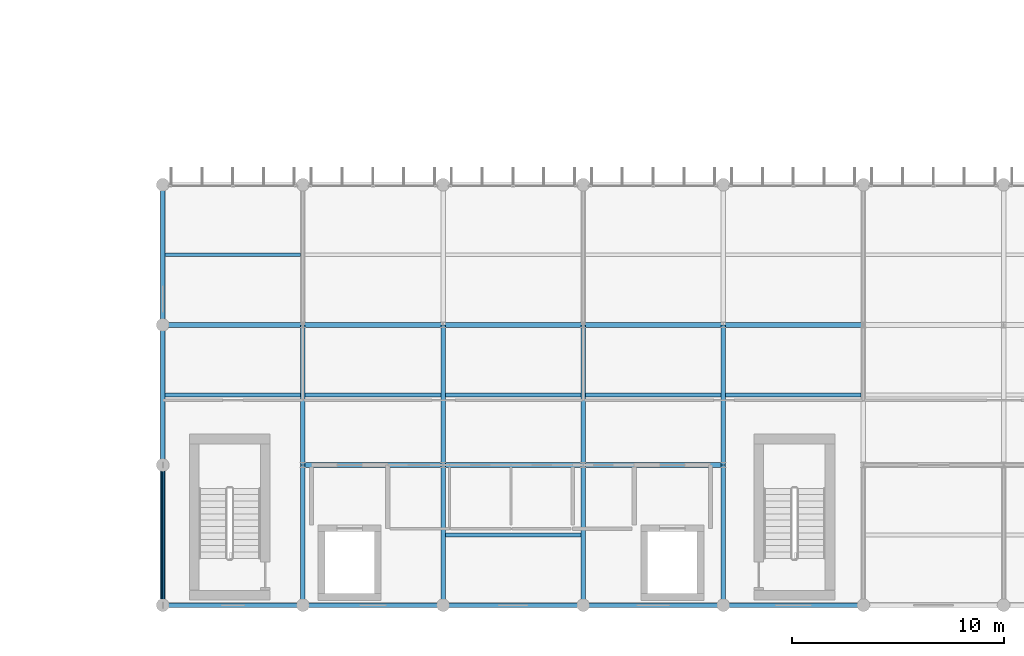
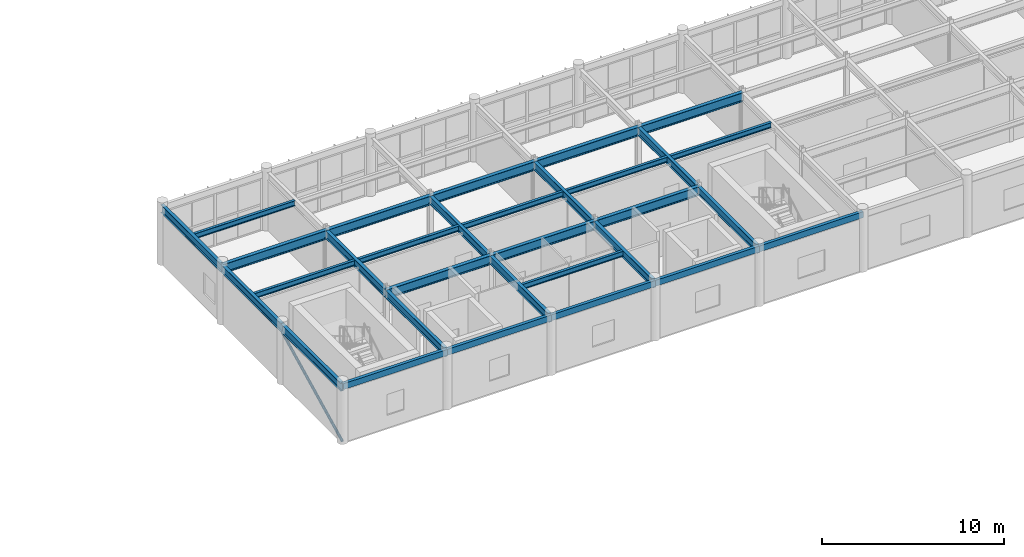
# One storey, part 18 of 66: 31 beams, 1 member.
"""IFC4 building model written with IfcOpenShell, lengths in metres."""

import ifcopenshell
import ifcopenshell.guid

model = None  # the IFC model being written
_history = None  # IfcOwnerHistory: only IFC2X3 demands one
_inside = {}  # id of a spatial element -> (the spatial element, [elements in it])
_under = {}  # id of a project, library or spatial element -> (it, [spatial elements below it])
_declared = {}  # id of a project -> (the project, [libraries it declares])
_typed = {}  # id of a type object -> (the type object, [elements of that type])
_made_of = {}  # id of a material, layer set ... -> (it, [elements and type objects made of it])


def new_model(schema):
    """Start an empty IFC model of exactly this schema.

    Asked for "IFC4X3", IfcOpenShell would pick the latest addendum, in which some entities
    have other attributes; the version numbers below select the first issue.
    IFC2X3 requires an IfcOwnerHistory on every rooted entity: one is made here for all.
    """
    global model, _history
    if schema == "IFC4X3":
        model = ifcopenshell.file(schema_version=(4, 3, 0, 0))
    else:
        model = ifcopenshell.file(schema=schema)
    _inside.clear()
    _under.clear()
    _declared.clear()
    _typed.clear()
    _made_of.clear()
    _history = None
    if model.schema == "IFC2X3":
        org = make("IfcOrganization", Name="unknown")
        user = make(
            "IfcPersonAndOrganization",
            ThePerson=make("IfcPerson", FamilyName="unknown"),
            TheOrganization=org,
        )
        app = make(
            "IfcApplication",
            ApplicationDeveloper=org,
            Version="unknown",
            ApplicationFullName="unknown",
            ApplicationIdentifier="unknown",
        )
        _history = make(
            "IfcOwnerHistory",
            OwningUser=user,
            OwningApplication=app,
            ChangeAction="ADDED",
            CreationDate=0,
        )
    return model


def make(cls, **values):
    """One entity of the class cls with the attributes given. An attribute that is None is left unset."""
    return model.create_entity(
        cls, **{name: value for name, value in values.items() if value is not None}
    )


def rooted(cls, **values):
    """An entity with a GlobalId (a new one), such as an element, a storey or a relation."""
    return make(cls, GlobalId=ifcopenshell.guid.new(), OwnerHistory=_history, **values)


def si_unit(unit_type, name, prefix=None):
    """IfcSIUnit, for example si_unit("LENGTHUNIT", "METRE", prefix="MILLI")."""
    return make("IfcSIUnit", UnitType=unit_type, Prefix=prefix, Name=name)


def assignment(units):
    """IfcUnitAssignment: the units of a project."""
    return None if units is None else make("IfcUnitAssignment", Units=units)


def point(xyz):
    """IfcCartesianPoint."""
    return None if xyz is None else make("IfcCartesianPoint", Coordinates=xyz)


def direction(xyz):
    """IfcDirection."""
    return None if xyz is None else make("IfcDirection", DirectionRatios=xyz)


def frame(location, z_axis=None, x_axis=None):
    """IfcAxis2Placement3D, a coordinate frame: its origin and axes. An axis left out is left unset."""
    return make(
        "IfcAxis2Placement3D",
        Location=point(location),
        Axis=direction(z_axis),
        RefDirection=direction(x_axis),
    )


def frame_2d(location, x_axis=None):
    """IfcAxis2Placement2D, a coordinate frame in the plane: its origin and x axis."""
    return make(
        "IfcAxis2Placement2D", Location=point(location), RefDirection=direction(x_axis)
    )


def origin():
    """The frame at (0, 0, 0) with its axes left unset."""
    return frame((0.0, 0.0, 0.0))


def origin_2d():
    """The frame at (0, 0) in the plane with its x axis left unset."""
    return frame_2d((0.0, 0.0))


def place(relative_to, where):
    """IfcLocalPlacement: puts the frame where relative to a parent placement (None: the world)."""
    return make(
        "IfcLocalPlacement", PlacementRelTo=relative_to, RelativePlacement=where
    )


def context(
    kind, dimensions, precision=None, world=None, true_north=None, identifier=None
):
    """IfcGeometricRepresentationContext, for example the 3D "Model" context."""
    return make(
        "IfcGeometricRepresentationContext",
        ContextIdentifier=identifier,
        ContextType=kind,
        CoordinateSpaceDimension=dimensions,
        Precision=precision,
        WorldCoordinateSystem=world,
        TrueNorth=true_north,
    )


def subcontext(parent, identifier, kind, view, scale=None):
    """IfcGeometricRepresentationSubContext, for example "Body" below "Model"."""
    return make(
        "IfcGeometricRepresentationSubContext",
        ContextIdentifier=identifier,
        ContextType=kind,
        ParentContext=parent,
        TargetScale=scale,
        TargetView=view,
    )


def project(units=None, contexts=None):
    """IfcProject with its units and contexts."""
    return rooted(
        "IfcProject",
        Name="project",
        RepresentationContexts=contexts,
        UnitsInContext=assignment(units),
    )


def spatial(cls, under=None, at=None, **own):
    """A site, building, storey or space (cls), placed at a placement, below another one or the project."""
    s = rooted(cls, ObjectPlacement=at, **own)
    if under is not None:
        _under.setdefault(under.id(), (under, []))[1].append(s)
    return s


def profile(cls, at=None, kind="AREA", **sizes):
    """A parametric profile (cls). Its sizes go by their IFC names, for example OverallWidth=200.0."""
    return make(cls, ProfileType=kind, Position=at, **sizes)


def hollow_rectangle(**sizes):
    """IfcRectangleHollowProfileDef."""
    return profile("IfcRectangleHollowProfileDef", **sizes)


def hollow_circle(**sizes):
    """IfcCircleHollowProfileDef."""
    return profile("IfcCircleHollowProfileDef", **sizes)


def i_section(**sizes):
    """IfcIShapeProfileDef."""
    return profile("IfcIShapeProfileDef", **sizes)


def extrude(swept, where, along, depth):
    """IfcExtrudedAreaSolid: the profile swept, set in the frame where, extruded along a direction by depth."""
    return make(
        "IfcExtrudedAreaSolid",
        SweptArea=swept,
        Position=where,
        ExtrudedDirection=direction(along),
        Depth=depth,
    )


def shape(context_of_items, identifier, shape_type, items):
    """IfcShapeRepresentation: the items that make up one representation, for example the "Body"."""
    return make(
        "IfcShapeRepresentation",
        ContextOfItems=context_of_items,
        RepresentationIdentifier=identifier,
        RepresentationType=shape_type,
        Items=items,
    )


def material(Name=None, Category=None):
    """IfcMaterial."""
    return make("IfcMaterial", Name=Name, Category=Category)


def material_profile(
    of_material, cross_section, Name=None, Category=None, Priority=None
):
    """IfcMaterialProfile: a cross section and its material."""
    return make(
        "IfcMaterialProfile",
        Name=Name,
        Material=of_material,
        Profile=cross_section,
        Priority=Priority,
        Category=Category,
    )


def profile_set(profiles, Name=None, composite=None):
    """IfcMaterialProfileSet."""
    return make(
        "IfcMaterialProfileSet",
        Name=Name,
        MaterialProfiles=profiles,
        CompositeProfile=composite,
    )


def made_of(thing, what):
    """Note that an element or type object is made of a material, layer set ...; save() writes the relation."""
    if what is not None:
        _made_of.setdefault(what.id(), (what, []))[1].append(thing)
    return thing


def type_object(cls, material=None, **own):
    """A type object (cls), such as IfcWallType, which elements share."""
    return made_of(rooted(cls, **own), material)


def element(
    cls,
    number,
    at=None,
    inside=None,
    cuts=None,
    type_object=None,
    material=None,
    context=None,
    identifier="Body",
    shape_type=None,
    held_by="IfcProductDefinitionShape",
    body=None,
    shapes=None,
    **own,
):
    """One element of the class cls, such as IfcWall. Its Tag is "e" and its number.

    at: its placement. inside: the storey or other place that contains it. cuts: it is an
    opening in that element (IfcRelVoidsElement). A single representation is given by context,
    identifier, shape_type and body (its items); several are given by shapes. held_by: the class
    of the entity that holds the representations. save() writes the other relations.
    """
    e = rooted(cls, Tag="e%d" % number, ObjectPlacement=at, **own)
    if body is not None:
        shapes = [shape(context, identifier, shape_type, body)]
    if shapes is not None:
        e.Representation = make(held_by, Representations=shapes)
    if inside is not None:
        _inside.setdefault(inside.id(), (inside, []))[1].append(e)
    if cuts is not None:
        rooted(
            "IfcRelVoidsElement", RelatingBuildingElement=cuts, RelatedOpeningElement=e
        )
    if type_object is not None:
        _typed.setdefault(type_object.id(), (type_object, []))[1].append(e)
    return made_of(e, material)


def aggregate(whole, parts):
    """IfcRelAggregates: a whole, such as a stair, and the parts it consists of."""
    return rooted("IfcRelAggregates", RelatingObject=whole, RelatedObjects=parts)


def save(model, path):
    """Write the relations noted so far, then the file.

    IfcRelAggregates (storeys below a building ...), IfcRelContainedInSpatialStructure (elements
    in a storey), IfcRelDefinesByType, IfcRelAssociatesMaterial and IfcRelDeclares: one each for
    every whole, place, type object, material and project.
    """
    for whole, parts in _under.values():
        aggregate(whole, parts)
    for where, things in _inside.values():
        rooted(
            "IfcRelContainedInSpatialStructure",
            RelatedElements=things,
            RelatingStructure=where,
        )
    for kind, things in _typed.values():
        rooted("IfcRelDefinesByType", RelatedObjects=things, RelatingType=kind)
    for what, things in _made_of.values():
        rooted("IfcRelAssociatesMaterial", RelatedObjects=things, RelatingMaterial=what)
    for by, libraries in _declared.values():
        rooted("IfcRelDeclares", RelatingContext=by, RelatedDefinitions=libraries)
    model.write(path)


model = new_model("IFC4")

# Units and contexts
model_context = context("Model", 3, precision=1e-05, world=origin(), true_north=direction((0.0, 1.0)))
body_context = subcontext(model_context, "Body", "Model", "MODEL_VIEW")
ifc_project = project(units=[si_unit("LENGTHUNIT", "METRE"), si_unit("AREAUNIT", "SQUARE_METRE"), si_unit("VOLUMEUNIT", "CUBIC_METRE"), si_unit("PLANEANGLEUNIT", "RADIAN"), si_unit("MASSUNIT", "GRAM", prefix="KILO")], contexts=[model_context])

# Site, building, storey
site_placement = place(None, origin())
site = spatial("IfcSite", under=ifc_project, at=site_placement, CompositionType="ELEMENT")
building_placement = place(site_placement, origin())
building = spatial("IfcBuilding", under=site, at=building_placement, Name="Karori Crest Natural Sciences Institute", CompositionType="ELEMENT")
storey_placement = place(building_placement, frame((0.0, 0.0, 30.10009765625)))
storey = spatial("IfcBuildingStorey", under=building, at=storey_placement, Name="L07", CompositionType="ELEMENT", Elevation=30.10009765625)

# Beams
ifc_material_1 = material(Name="Structural steel AS/NZS 3679.1 Grade 350", Category="steel")
ifc_material_profile_1 = material_profile(ifc_material_1, i_section(OverallWidth=0.22900390625, OverallDepth=0.612060546875, WebThickness=0.011962890625, FlangeThickness=0.01953125, FilletRadius=0.013916015625, at=origin_2d()), Name="610UB125")
ifc_profile_set_1 = profile_set([ifc_material_profile_1], Name="Structural steel AS/NZS 3679.1 Grade 350")
beam_type_1 = type_object("IfcBeamType", Name="BT-04", PredefinedType="BEAM", material=ifc_profile_set_1)
beam_1_placement = place(storey_placement, frame((110.199951171875, 7.39990234375, 3.614013671875), z_axis=(1.0, 0.0, 0.0), x_axis=(0.0, 1.0, 0.0)))
element("IfcBeam", 1, at=beam_1_placement, inside=storey, type_object=beam_type_1, Name="Beam B-2626", PredefinedType="BEAM", context=body_context, shape_type="SweptSolid", body=[
    extrude(i_section(OverallWidth=0.22900390625, OverallDepth=0.612060546875, WebThickness=0.011962890625, FlangeThickness=0.01953125, FilletRadius=0.013916015625, at=origin_2d()), origin(), (0.0, 0.0, 1.0), 6.60009765625),
])
beam_2_placement = place(storey_placement, frame((116.800048828125, 7.39990234375, 3.614013671875), z_axis=(1.0, 0.0, 0.0), x_axis=(0.0, 1.0, 0.0)))
element("IfcBeam", 2, at=beam_2_placement, inside=storey, type_object=beam_type_1, Name="Beam B-2627", PredefinedType="BEAM", context=body_context, shape_type="SweptSolid", body=[
    extrude(i_section(OverallWidth=0.22900390625, OverallDepth=0.612060546875, WebThickness=0.011962890625, FlangeThickness=0.01953125, FilletRadius=0.013916015625, at=origin_2d()), origin(), (0.0, 0.0, 1.0), 6.599853515625),
])
beam_3_placement = place(storey_placement, frame((123.39990234375, 7.39990234375, 3.614013671875), z_axis=(1.0, 0.0, 0.0), x_axis=(0.0, 1.0, 0.0)))
element("IfcBeam", 3, at=beam_3_placement, inside=storey, type_object=beam_type_1, Name="Beam B-2628", PredefinedType="BEAM", context=body_context, shape_type="SweptSolid", body=[
    extrude(i_section(OverallWidth=0.22900390625, OverallDepth=0.612060546875, WebThickness=0.011962890625, FlangeThickness=0.01953125, FilletRadius=0.013916015625, at=origin_2d()), origin(), (0.0, 0.0, 1.0), 6.60009765625),
])
beam_4_placement = place(storey_placement, frame((103.60009765625, 14.0, 3.614013671875), z_axis=(1.0, 0.0, 0.0), x_axis=(0.0, 1.0, 0.0)))
element("IfcBeam", 4, at=beam_4_placement, inside=storey, type_object=beam_type_1, Name="Beam B-2632", PredefinedType="BEAM", context=body_context, shape_type="SweptSolid", body=[
    extrude(i_section(OverallWidth=0.22900390625, OverallDepth=0.612060546875, WebThickness=0.011962890625, FlangeThickness=0.01953125, FilletRadius=0.013916015625, at=origin_2d()), origin(), (0.0, 0.0, 1.0), 6.599853515625),
])
beam_5_placement = place(storey_placement, frame((110.199951171875, 14.0, 3.614013671875), z_axis=(1.0, 0.0, 0.0), x_axis=(0.0, 1.0, 0.0)))
element("IfcBeam", 5, at=beam_5_placement, inside=storey, type_object=beam_type_1, Name="Beam B-2633", PredefinedType="BEAM", context=body_context, shape_type="SweptSolid", body=[
    extrude(i_section(OverallWidth=0.22900390625, OverallDepth=0.612060546875, WebThickness=0.011962890625, FlangeThickness=0.01953125, FilletRadius=0.013916015625, at=origin_2d()), origin(), (0.0, 0.0, 1.0), 6.60009765625),
])
beam_6_placement = place(storey_placement, frame((116.800048828125, 14.0, 3.614013671875), z_axis=(1.0, 0.0, 0.0), x_axis=(0.0, 1.0, 0.0)))
element("IfcBeam", 6, at=beam_6_placement, inside=storey, type_object=beam_type_1, Name="Beam B-2634", PredefinedType="BEAM", context=body_context, shape_type="SweptSolid", body=[
    extrude(i_section(OverallWidth=0.22900390625, OverallDepth=0.612060546875, WebThickness=0.011962890625, FlangeThickness=0.01953125, FilletRadius=0.013916015625, at=origin_2d()), origin(), (0.0, 0.0, 1.0), 6.599853515625),
])
for number, where, z_axis, x_axis, name in (
    (7, (123.39990234375, 14.0, 3.614013671875), (1.0, 0.0, 0.0), (0.0, 1.0, 0.0), "Beam B-2635"),
    (8, (130.0, 14.0, 3.614013671875), (1.0, 0.0, 0.0), (0.0, 1.0, 0.0), "Beam B-2636"),
):
    element("IfcBeam", number, at=place(storey_placement, frame(where, z_axis=z_axis, x_axis=x_axis)), inside=storey, type_object=beam_type_1, Name=name, PredefinedType="BEAM", context=body_context, shape_type="SweptSolid", body=[
        extrude(i_section(OverallWidth=0.22900390625, OverallDepth=0.612060546875, WebThickness=0.011962890625, FlangeThickness=0.01953125, FilletRadius=0.013916015625, at=origin_2d()), origin(), (0.0, 0.0, 1.0), 6.60009765625),
    ])
ifc_material_profile_2 = material_profile(ifc_material_1, i_section(OverallWidth=0.208984375, OverallDepth=0.532958984375, WebThickness=0.01025390625, FlangeThickness=0.015625, FilletRadius=0.013916015625, at=origin_2d()), Name="530UB92.4")
ifc_profile_set_2 = profile_set([ifc_material_profile_2], Name="Structural steel AS/NZS 3679.1 Grade 350")
beam_type_2 = type_object("IfcBeamType", Name="BT-05", PredefinedType="BEAM", material=ifc_profile_set_2)
beam_7_placement = place(storey_placement, frame((110.199951171875, 0.800048828125, 3.6533203125), z_axis=(0.0, 1.0, 0.0), x_axis=(-1.0, 0.0, 0.0)))
element("IfcBeam", 9, at=beam_7_placement, inside=storey, type_object=beam_type_2, Name="Beam B-2651", PredefinedType="BEAM", context=body_context, shape_type="SweptSolid", body=[
    extrude(i_section(OverallWidth=0.208984375, OverallDepth=0.532958984375, WebThickness=0.01025390625, FlangeThickness=0.015625, FilletRadius=0.013916015625, at=origin_2d()), origin(), (0.0, 0.0, 1.0), 6.599853515625),
])
beam_8_placement = place(storey_placement, frame((110.199951171875, 7.39990234375, 3.6533203125), z_axis=(0.0, 1.0, 0.0), x_axis=(-1.0, 0.0, 0.0)))
element("IfcBeam", 10, at=beam_8_placement, inside=storey, type_object=beam_type_2, Name="Beam B-2652", PredefinedType="BEAM", context=body_context, shape_type="SweptSolid", body=[
    extrude(i_section(OverallWidth=0.208984375, OverallDepth=0.532958984375, WebThickness=0.01025390625, FlangeThickness=0.015625, FilletRadius=0.013916015625, at=origin_2d()), origin(), (0.0, 0.0, 1.0), 6.60009765625),
])
beam_9_placement = place(storey_placement, frame((116.800048828125, 0.800048828125, 3.6533203125), z_axis=(0.0, 1.0, 0.0), x_axis=(-1.0, 0.0, 0.0)))
element("IfcBeam", 11, at=beam_9_placement, inside=storey, type_object=beam_type_2, Name="Beam B-2654", PredefinedType="BEAM", context=body_context, shape_type="SweptSolid", body=[
    extrude(i_section(OverallWidth=0.208984375, OverallDepth=0.532958984375, WebThickness=0.01025390625, FlangeThickness=0.015625, FilletRadius=0.013916015625, at=origin_2d()), origin(), (0.0, 0.0, 1.0), 6.599853515625),
])
beam_10_placement = place(storey_placement, frame((116.800048828125, 7.39990234375, 3.6533203125), z_axis=(0.0, 1.0, 0.0), x_axis=(-1.0, 0.0, 0.0)))
element("IfcBeam", 12, at=beam_10_placement, inside=storey, type_object=beam_type_2, Name="Beam B-2655", PredefinedType="BEAM", context=body_context, shape_type="SweptSolid", body=[
    extrude(i_section(OverallWidth=0.208984375, OverallDepth=0.532958984375, WebThickness=0.01025390625, FlangeThickness=0.015625, FilletRadius=0.013916015625, at=origin_2d()), origin(), (0.0, 0.0, 1.0), 6.60009765625),
])
beam_11_placement = place(storey_placement, frame((123.39990234375, 0.800048828125, 3.6533203125), z_axis=(0.0, 1.0, 0.0), x_axis=(-1.0, 0.0, 0.0)))
element("IfcBeam", 13, at=beam_11_placement, inside=storey, type_object=beam_type_2, Name="Beam B-2657", PredefinedType="BEAM", context=body_context, shape_type="SweptSolid", body=[
    extrude(i_section(OverallWidth=0.208984375, OverallDepth=0.532958984375, WebThickness=0.01025390625, FlangeThickness=0.015625, FilletRadius=0.013916015625, at=origin_2d()), origin(), (0.0, 0.0, 1.0), 6.599853515625),
])
beam_12_placement = place(storey_placement, frame((123.39990234375, 7.39990234375, 3.6533203125), z_axis=(0.0, 1.0, 0.0), x_axis=(-1.0, 0.0, 0.0)))
element("IfcBeam", 14, at=beam_12_placement, inside=storey, type_object=beam_type_2, Name="Beam B-2658", PredefinedType="BEAM", context=body_context, shape_type="SweptSolid", body=[
    extrude(i_section(OverallWidth=0.208984375, OverallDepth=0.532958984375, WebThickness=0.01025390625, FlangeThickness=0.015625, FilletRadius=0.013916015625, at=origin_2d()), origin(), (0.0, 0.0, 1.0), 6.60009765625),
])
beam_13_placement = place(storey_placement, frame((130.0, 0.800048828125, 3.6533203125), z_axis=(0.0, 1.0, 0.0), x_axis=(-1.0, 0.0, 0.0)))
element("IfcBeam", 15, at=beam_13_placement, inside=storey, type_object=beam_type_2, Name="Beam B-2660", PredefinedType="BEAM", context=body_context, shape_type="SweptSolid", body=[
    extrude(i_section(OverallWidth=0.208984375, OverallDepth=0.532958984375, WebThickness=0.01025390625, FlangeThickness=0.015625, FilletRadius=0.013916015625, at=origin_2d()), origin(), (0.0, 0.0, 1.0), 6.599853515625),
])
beam_14_placement = place(storey_placement, frame((130.0, 7.39990234375, 3.6533203125), z_axis=(0.0, 1.0, 0.0), x_axis=(-1.0, 0.0, 0.0)))
element("IfcBeam", 16, at=beam_14_placement, inside=storey, type_object=beam_type_2, Name="Beam B-2661", PredefinedType="BEAM", context=body_context, shape_type="SweptSolid", body=[
    extrude(i_section(OverallWidth=0.208984375, OverallDepth=0.532958984375, WebThickness=0.01025390625, FlangeThickness=0.015625, FilletRadius=0.013916015625, at=origin_2d()), origin(), (0.0, 0.0, 1.0), 6.60009765625),
])
ifc_material_profile_3 = material_profile(ifc_material_1, i_section(OverallWidth=0.208984375, OverallDepth=0.532958984375, WebThickness=0.01025390625, FlangeThickness=0.015625, FilletRadius=0.013916015625, at=origin_2d()), Name="530UB92.4")
ifc_profile_set_3 = profile_set([ifc_material_profile_3], Name="Structural steel AS/NZS 3679.1 Grade 350")
beam_type_3 = type_object("IfcBeamType", Name="BT-05-EL", PredefinedType="BEAM", material=ifc_profile_set_3)
beam_15_placement = place(storey_placement, frame((103.60009765625, 0.800048828125, 3.6533203125), z_axis=(0.0, 1.0, 0.0), x_axis=(-1.0, 0.0, 0.0)))
element("IfcBeam", 17, at=beam_15_placement, inside=storey, type_object=beam_type_3, Name="Beam B-2648", PredefinedType="BEAM", context=body_context, shape_type="SweptSolid", body=[
    extrude(i_section(OverallWidth=0.208984375, OverallDepth=0.532958984375, WebThickness=0.01025390625, FlangeThickness=0.015625, FilletRadius=0.013916015625, at=origin_2d()), origin(), (0.0, 0.0, 1.0), 6.599853515625),
])
for number, where, z_axis, x_axis, name in (
    (18, (103.60009765625, 7.39990234375, 3.6533203125), (0.0, 1.0, 0.0), (-1.0, 0.0, 0.0), "Beam B-2649"),
    (19, (103.60009765625, 14.0, 3.6533203125), (0.0, 1.0, 0.0), (-1.0, 0.0, 0.0), "Beam B-2650"),
):
    element("IfcBeam", number, at=place(storey_placement, frame(where, z_axis=z_axis, x_axis=x_axis)), inside=storey, type_object=beam_type_3, Name=name, PredefinedType="BEAM", context=body_context, shape_type="SweptSolid", body=[
        extrude(i_section(OverallWidth=0.208984375, OverallDepth=0.532958984375, WebThickness=0.01025390625, FlangeThickness=0.015625, FilletRadius=0.013916015625, at=origin_2d()), origin(), (0.0, 0.0, 1.0), 6.60009765625),
    ])
ifc_material_profile_4 = material_profile(ifc_material_1, i_section(OverallWidth=0.172119140625, OverallDepth=0.35888671875, WebThickness=0.008056640625, FlangeThickness=0.012939453125, FilletRadius=0.010986328125, at=origin_2d()), Name="360UB56.7")
ifc_profile_set_4 = profile_set([ifc_material_profile_4], Name="Structural steel AS/NZS 3679.1 Grade 350")
beam_type_4 = type_object("IfcBeamType", Name="BT-08", PredefinedType="BEAM", material=ifc_profile_set_4)
for number, where, z_axis, x_axis, name in (
    (20, (103.70458984375, 10.699951171875, 3.740478515625), (1.0, 0.0, 0.0), (0.0, 1.0, 0.0), "Beam B-2675"),
    (21, (103.70458984375, 17.300048828125, 3.740478515625), (1.0, 0.0, 0.0), (0.0, 1.0, 0.0), "Beam B-2676"),
):
    element("IfcBeam", number, at=place(storey_placement, frame(where, z_axis=z_axis, x_axis=x_axis)), inside=storey, type_object=beam_type_4, Name=name, PredefinedType="BEAM", context=body_context, shape_type="SweptSolid", body=[
        extrude(i_section(OverallWidth=0.172119140625, OverallDepth=0.35888671875, WebThickness=0.008056640625, FlangeThickness=0.012939453125, FilletRadius=0.010986328125, at=origin_2d()), origin(), (0.0, 0.0, 1.0), 6.390869140625),
    ])
beam_16_placement = place(storey_placement, frame((110.304443359375, 10.699951171875, 3.740478515625), z_axis=(1.0, 0.0, 0.0), x_axis=(0.0, 1.0, 0.0)))
element("IfcBeam", 22, at=beam_16_placement, inside=storey, type_object=beam_type_4, Name="Beam B-2677", PredefinedType="BEAM", context=body_context, shape_type="SweptSolid", body=[
    extrude(i_section(OverallWidth=0.172119140625, OverallDepth=0.35888671875, WebThickness=0.008056640625, FlangeThickness=0.012939453125, FilletRadius=0.010986328125, at=origin_2d()), origin(), (0.0, 0.0, 1.0), 6.39111328125),
])
for number, where, z_axis, x_axis, name in (
    (23, (116.904541015625, 4.10009765625, 3.740478515625), (1.0, 0.0, 0.0), (0.0, 1.0, 0.0), "Beam B-2679"),
    (24, (116.904541015625, 10.699951171875, 3.740478515625), (1.0, 0.0, 0.0), (0.0, 1.0, 0.0), "Beam B-2680"),
):
    element("IfcBeam", number, at=place(storey_placement, frame(where, z_axis=z_axis, x_axis=x_axis)), inside=storey, type_object=beam_type_4, Name=name, PredefinedType="BEAM", context=body_context, shape_type="SweptSolid", body=[
        extrude(i_section(OverallWidth=0.172119140625, OverallDepth=0.35888671875, WebThickness=0.008056640625, FlangeThickness=0.012939453125, FilletRadius=0.010986328125, at=origin_2d()), origin(), (0.0, 0.0, 1.0), 6.390869140625),
    ])
for number, where, z_axis, x_axis, name in (
    (25, (123.50439453125, 10.699951171875, 3.740478515625), (1.0, 0.0, 0.0), (0.0, 1.0, 0.0), "Beam B-2682"),
    (26, (130.1044921875, 10.699951171875, 3.740478515625), (1.0, 0.0, 0.0), (0.0, 1.0, 0.0), "Beam B-2684"),
):
    element("IfcBeam", number, at=place(storey_placement, frame(where, z_axis=z_axis, x_axis=x_axis)), inside=storey, type_object=beam_type_4, Name=name, PredefinedType="BEAM", context=body_context, shape_type="SweptSolid", body=[
        extrude(i_section(OverallWidth=0.172119140625, OverallDepth=0.35888671875, WebThickness=0.008056640625, FlangeThickness=0.012939453125, FilletRadius=0.010986328125, at=origin_2d()), origin(), (0.0, 0.0, 1.0), 6.39111328125),
    ])
ifc_material_2 = material(Name="Hollow structural steel AS/NZS 1163 Grade C350", Category="steel")
ifc_material_profile_5 = material_profile(ifc_material_2, hollow_rectangle(XDim=0.199951171875, YDim=0.39990234375, WallThickness=0.012451171875, at=origin_2d()), Name="RHS400x200x12.5")
ifc_profile_set_5 = profile_set([ifc_material_profile_5], Name="Hollow structural steel AS/NZS 1163 Grade C350")
beam_type_5 = type_object("IfcBeamType", Name="BT-14", PredefinedType="SPANDREL", material=ifc_profile_set_5)
beam_17_placement = place(storey_placement, frame((103.60009765625, 0.800048828125, 3.719970703125), z_axis=(1.0, 0.0, 0.0), x_axis=(0.0, 1.0, 0.0)))
element("IfcBeam", 27, at=beam_17_placement, inside=storey, type_object=beam_type_5, Name="Beam B-2618", PredefinedType="SPANDREL", context=body_context, shape_type="SweptSolid", body=[
    extrude(hollow_rectangle(XDim=0.199951171875, YDim=0.39990234375, WallThickness=0.012451171875, at=origin_2d()), origin(), (0.0, 0.0, 1.0), 6.599853515625),
])
beam_18_placement = place(storey_placement, frame((110.199951171875, 0.800048828125, 3.719970703125), z_axis=(1.0, 0.0, 0.0), x_axis=(0.0, 1.0, 0.0)))
element("IfcBeam", 28, at=beam_18_placement, inside=storey, type_object=beam_type_5, Name="Beam B-2619", PredefinedType="SPANDREL", context=body_context, shape_type="SweptSolid", body=[
    extrude(hollow_rectangle(XDim=0.199951171875, YDim=0.39990234375, WallThickness=0.012451171875, at=origin_2d()), origin(), (0.0, 0.0, 1.0), 6.60009765625),
])
beam_19_placement = place(storey_placement, frame((116.800048828125, 0.800048828125, 3.719970703125), z_axis=(1.0, 0.0, 0.0), x_axis=(0.0, 1.0, 0.0)))
element("IfcBeam", 29, at=beam_19_placement, inside=storey, type_object=beam_type_5, Name="Beam B-2620", PredefinedType="SPANDREL", context=body_context, shape_type="SweptSolid", body=[
    extrude(hollow_rectangle(XDim=0.199951171875, YDim=0.39990234375, WallThickness=0.012451171875, at=origin_2d()), origin(), (0.0, 0.0, 1.0), 6.599853515625),
])
for number, where, z_axis, x_axis, name in (
    (30, (123.39990234375, 0.800048828125, 3.719970703125), (1.0, 0.0, 0.0), (0.0, 1.0, 0.0), "Beam B-2621"),
    (31, (130.0, 0.800048828125, 3.719970703125), (1.0, 0.0, 0.0), (0.0, 1.0, 0.0), "Beam B-2622"),
):
    element("IfcBeam", number, at=place(storey_placement, frame(where, z_axis=z_axis, x_axis=x_axis)), inside=storey, type_object=beam_type_5, Name=name, PredefinedType="SPANDREL", context=body_context, shape_type="SweptSolid", body=[
        extrude(hollow_rectangle(XDim=0.199951171875, YDim=0.39990234375, WallThickness=0.012451171875, at=origin_2d()), origin(), (0.0, 0.0, 1.0), 6.60009765625),
    ])

# Member
ifc_material_profile_6 = material_profile(ifc_material_2, hollow_circle(Radius=0.084228515625, WallThickness=0.007080078125, at=origin_2d()), Name="CHS168.3x7.1")
ifc_profile_set_6 = profile_set([ifc_material_profile_6], Name="Hollow structural steel AS/NZS 1163 Grade C350")
member_type = type_object("IfcMemberType", Name="MT-03", PredefinedType="BRACE", material=ifc_profile_set_6)
member_placement = place(storey_placement, frame((103.60009765625, 0.800048828125, 0.010009765625), z_axis=(0.0, 0.893996860232, 0.448073223811), x_axis=(-1.0, 0.0, 0.0)))
element("IfcMember", 32, at=member_placement, inside=storey, type_object=member_type, Name="Diagonal Brace M-0453", PredefinedType="BRACE", context=body_context, shape_type="SweptSolid", body=[
    extrude(hollow_circle(Radius=0.084228515625, WallThickness=0.007080078125, at=origin_2d()), origin(), (0.0, 0.0, 1.0), 7.38232421875),
])

save(model, "model.ifc")
